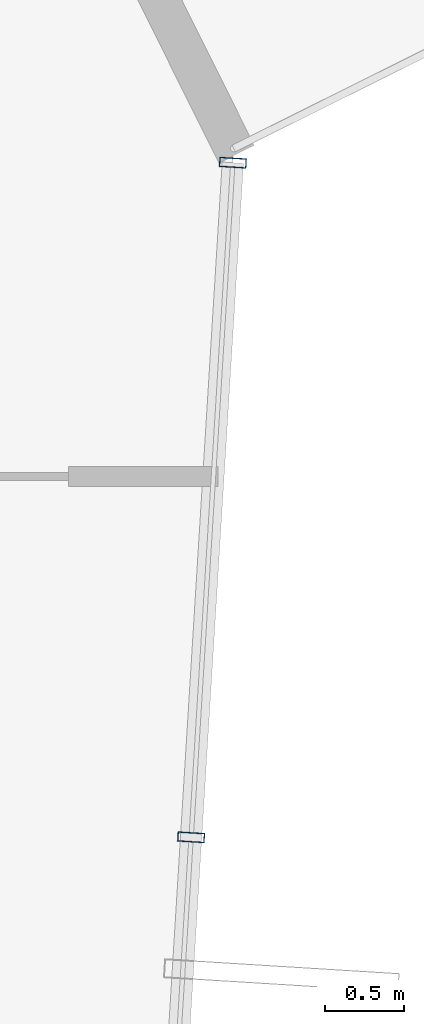
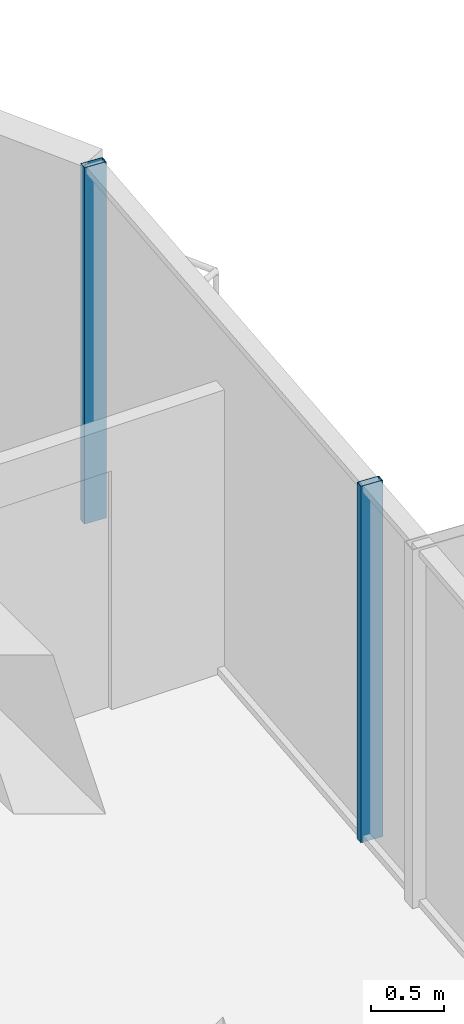
# One storey, part 15 of 30: 2 members, 1 element without a shape of its own.
"""IFC4 building model written with IfcOpenShell, lengths in metres."""

from ifc_helpers import new_model, si_unit, direction, frame, origin, origin_2d, place, context, subcontext, project, spatial, hollow_rectangle, extrude, source, transform, mapped, material, layer, layer_set, material_profile, profile_set, type_object, element, aggregate, save


model = new_model("IFC4")

# Units and contexts
model_context = context("Model", 3, precision=1e-05, world=origin(), true_north=direction((0.0, 1.0)))
body_context = subcontext(model_context, "Body", "Model", "MODEL_VIEW")
ifc_project = project(units=[si_unit("LENGTHUNIT", "METRE"), si_unit("AREAUNIT", "SQUARE_METRE"), si_unit("VOLUMEUNIT", "CUBIC_METRE"), si_unit("PLANEANGLEUNIT", "RADIAN"), si_unit("MASSUNIT", "GRAM", prefix="KILO")], contexts=[model_context])

# Site, building, storey
site_placement = place(None, origin())
site = spatial("IfcSite", under=ifc_project, at=site_placement, CompositionType="ELEMENT")
building_placement = place(site_placement, origin())
building = spatial("IfcBuilding", under=site, at=building_placement, Name="Veraguas Prism Commons", CompositionType="ELEMENT")
storey_placement = place(building_placement, frame((0.0, 0.0, 116.5)))
storey = spatial("IfcBuildingStorey", under=building, at=storey_placement, Name="L32", CompositionType="ELEMENT", Elevation=116.5)

# Curtain wall, members
ifc_material = material(Name="Anodised aluminium EN AW-6063 T6", Category="aluminium")
ifc_layer = layer(ifc_material, 0.169921875, Name="Unitised Flush Curtain Wall Zone 2", Category="aluminium")
ifc_layer_set = layer_set([ifc_layer], Name="Anodised aluminium EN AW-6063 T6")
curtain_wall_type = type_object("IfcCurtainWallType", Name="Unitised Flush Curtain Wall Zone 2", PredefinedType="NOTDEFINED", material=ifc_layer_set)
curtain_wall_placement = place(storey_placement, origin())
curtain_wall = element("IfcCurtainWall", 1, at=curtain_wall_placement, inside=storey, type_object=curtain_wall_type, Name="Tower Facade Curtain Wall L32-F6", PredefinedType="NOTDEFINED")
ifc_material_profile = material_profile(ifc_material, hollow_rectangle(XDim=0.06005859375, YDim=0.169921875, WallThickness=0.00390625, at=origin_2d()), Name="AL60X170X4")
ifc_profile_set = profile_set([ifc_material_profile], Name="Anodised aluminium EN AW-6063 T6")
member_type = type_object("IfcMemberType", Name="Curtain Wall Mullion Lower AL 60x170x4", PredefinedType="MULLION", material=ifc_profile_set)
shared_shape = source(origin(), body_context, "Body", "SweptSolid", [
    extrude(hollow_rectangle(XDim=0.06005859375, YDim=0.169921875, WallThickness=0.00390625, at=origin_2d()), origin(), (0.0, 0.0, 1.0), 3.0),
])
member_1_placement = place(storey_placement, frame((43.411865234375, 27.115966796875, 0.0), z_axis=(0.0, 0.0, 1.0), x_axis=(0.061743612146, 0.99809204303, 0.0)))
member_1 = element("IfcMember", 2, at=member_1_placement, type_object=member_type, Name="CW-Z2 Mullion 4", PredefinedType="MULLION", context=body_context, shape_type="MappedRepresentation", body=[
    mapped(shared_shape, transform((0.0, 0.0, 0.0), scale=1.0)),
])
member_2_placement = place(storey_placement, frame((43.676025390625, 31.386474609375, 0.0), z_axis=(0.0, 0.0, 1.0), x_axis=(0.061743612146, 0.99809204303, 0.0)))
member_2 = element("IfcMember", 3, at=member_2_placement, type_object=member_type, Name="CW-Z2 Mullion 5", PredefinedType="MULLION", context=body_context, shape_type="MappedRepresentation", body=[
    mapped(shared_shape, transform((0.0, 0.0, 0.0), scale=1.0)),
])
aggregate(curtain_wall, [member_1, member_2])

save(model, "model.ifc")
